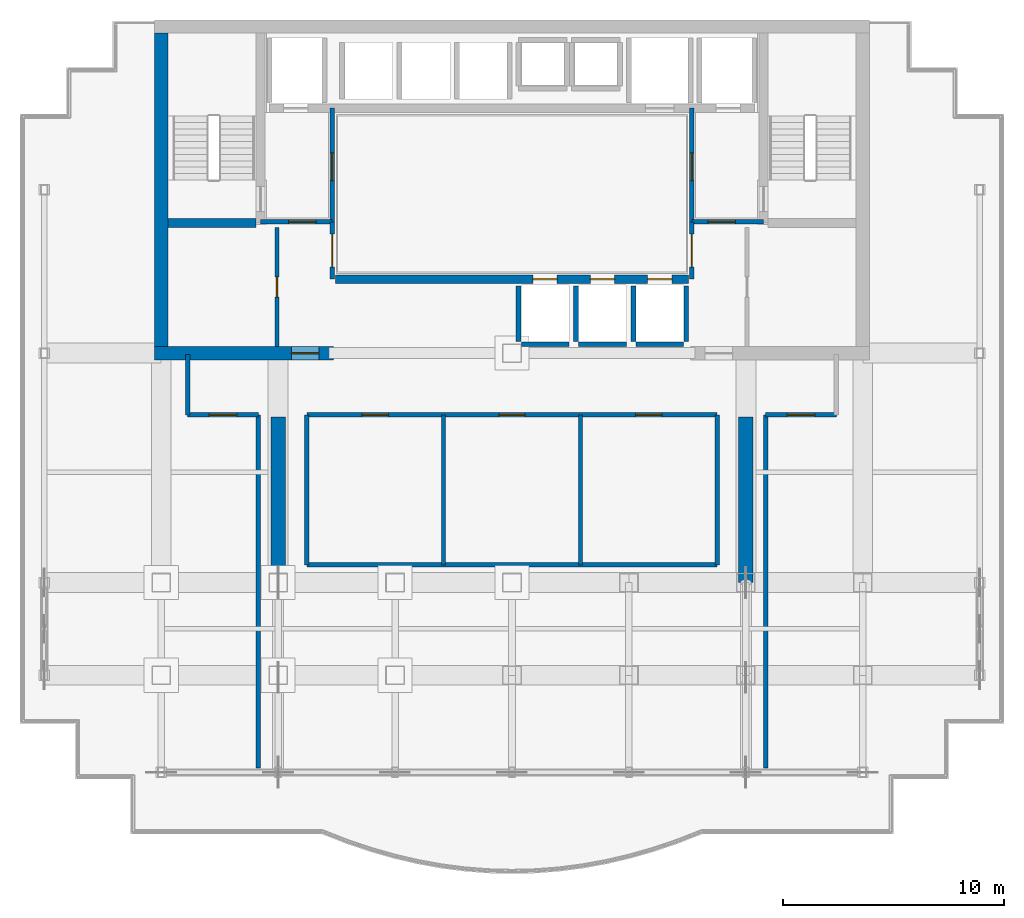
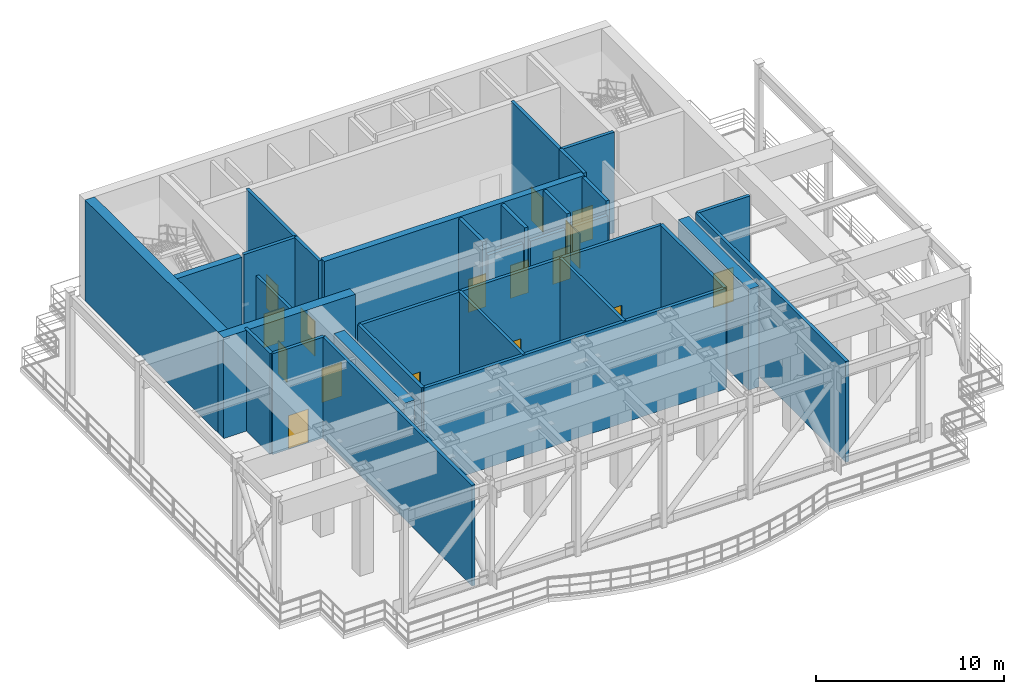
# One storey, part 3 of 7: 31 walls, 16 doors, 16 openings.
"""IFC4 building model written with IfcOpenShell, lengths in metres."""

from ifc_helpers import new_model, si_unit, direction, frame, frame_2d, origin, place, context, subcontext, project, spatial, rectangle, extrude, material, layer, layer_set, type_object, element, fill, save


model = new_model("IFC4")

# Units and contexts
model_context = context("Model", 3, precision=1e-05, world=origin(), true_north=direction((0.0, 1.0)))
body_context = subcontext(model_context, "Body", "Model", "MODEL_VIEW")
ifc_project = project(units=[si_unit("LENGTHUNIT", "METRE"), si_unit("AREAUNIT", "SQUARE_METRE"), si_unit("VOLUMEUNIT", "CUBIC_METRE"), si_unit("PLANEANGLEUNIT", "RADIAN"), si_unit("MASSUNIT", "GRAM", prefix="KILO")], contexts=[model_context])

# Site, building, storey
site_placement = place(None, origin())
site = spatial("IfcSite", under=ifc_project, at=site_placement, CompositionType="ELEMENT")
building_placement = place(site_placement, origin())
building = spatial("IfcBuilding", under=site, at=building_placement, Name="Qianlan Lanfeng Residences", CompositionType="ELEMENT")
storey_placement = place(building_placement, frame((0.0, 0.0, 185.39990234375)))
storey = spatial("IfcBuildingStorey", under=building, at=storey_placement, Name="L51", CompositionType="ELEMENT", Elevation=185.39990234375)

# Wall
ifc_material_1 = material(Name="Concrete C56", Category="concrete")
ifc_layer_1 = layer(ifc_material_1, 0.39990234375)
ifc_layer_set_1 = layer_set([ifc_layer_1], Name="Concrete C56")
wall_type_1 = type_object("IfcWallType", Name="CW-RC-400", PredefinedType="SHEAR", material=ifc_layer_set_1)
wall_1_placement = place(storey_placement, frame((10.89990234375, 31.10009765625, 0.0), z_axis=(0.0, 0.0, 1.0), x_axis=(1.0, 0.0, 0.0)))
element("IfcWall", 1, at=wall_1_placement, inside=storey, type_object=wall_type_1, Name="L51 Core Shear Wall ST1S", PredefinedType="SHEAR", context=body_context, shape_type="SweptSolid", body=[
    extrude(rectangle(XDim=4.0, YDim=0.39990234375, at=frame_2d((2.0, 0.0))), origin(), (0.0, 0.0, 1.0), 6.56005859375),
])

# Wall, openings, doors
wall_2_placement = place(storey_placement, frame((18.5, 28.550048828125, 0.0), z_axis=(0.0, 0.0, 1.0), x_axis=(1.0, 0.0, 0.0)))
wall_2 = element("IfcWall", 2, at=wall_2_placement, inside=storey, type_object=wall_type_1, Name="L51 Core Shear Wall LBS", PredefinedType="SHEAR", context=body_context, shape_type="SweptSolid", body=[
    extrude(rectangle(XDim=16.0, YDim=0.39990234375, at=frame_2d((8.0, 0.0))), origin(), (0.0, 0.0, 1.0), 6.56005859375),
])
opening_1_placement = place(wall_2_placement, frame((8.949951171875, 0.0, 0.0)))
opening_1 = element("IfcOpeningElement", 3, at=opening_1_placement, cuts=wall_2, Name="Opening L51-LD-PL-M1", PredefinedType="OPENING", context=body_context, shape_type="SweptSolid", body=[
    extrude(rectangle(XDim=1.10009765625, YDim=2.14990234375, at=frame_2d((0.550048828125, 1.074951171875))), frame((0.0, 0.2099609375, 0.0), z_axis=(0.0, -1.0, 0.0), x_axis=(1.0, 0.0, 0.0)), (0.0, 0.0, 1.0), 0.419921875),
])
opening_2_placement = place(wall_2_placement, frame((11.550048828125, 0.0, 0.0)))
opening_2 = element("IfcOpeningElement", 4, at=opening_2_placement, cuts=wall_2, Name="Opening L51-LD-PL-M2", PredefinedType="OPENING", context=body_context, shape_type="SweptSolid", body=[
    extrude(rectangle(XDim=1.10009765625, YDim=2.14990234375, at=frame_2d((0.550048828125, 1.074951171875))), frame((0.0, 0.2099609375, 0.0), z_axis=(0.0, -1.0, 0.0), x_axis=(1.0, 0.0, 0.0)), (0.0, 0.0, 1.0), 0.419921875),
])
opening_3_placement = place(wall_2_placement, frame((14.14990234375, 0.0, 0.0)))
opening_3 = element("IfcOpeningElement", 5, at=opening_3_placement, cuts=wall_2, Name="Opening L51-LD-PL-M3", PredefinedType="OPENING", context=body_context, shape_type="SweptSolid", body=[
    extrude(rectangle(XDim=1.10009765625, YDim=2.14990234375, at=frame_2d((0.550048828125, 1.074951171875))), frame((0.0, 0.2099609375, 0.0), z_axis=(0.0, -1.0, 0.0), x_axis=(1.0, 0.0, 0.0)), (0.0, 0.0, 1.0), 0.419921875),
])
ifc_material_2 = material(Name="Brushed Stainless Steel Sliding Lift Door", Category="steel")
door_type_1 = type_object("IfcDoorType", Name="LD-01", OperationType="NOTDEFINED", PredefinedType="DOOR", material=ifc_material_2)
door_1_placement = place(opening_1_placement, origin())
door_1 = element("IfcDoor", 6, at=door_1_placement, inside=storey, type_object=door_type_1, Name="L51 Elevator PL-M1 Sliding Landing Door", OperationType="DOUBLE_DOOR_SLIDING", OverallHeight=2.14990234375, OverallWidth=1.10009765625, PredefinedType="DOOR", context=body_context, shape_type="SweptSolid", body=[
    extrude(rectangle(XDim=1.10009765625, YDim=2.14990234375, at=frame_2d((0.550048828125, 1.074951171875))), frame((0.0, 0.02490234375, 0.0), z_axis=(0.0, -1.0, 0.0), x_axis=(1.0, 0.0, 0.0)), (0.0, 0.0, 1.0), 0.050048828125),
])
fill(opening_1, door_1)
door_2_placement = place(opening_2_placement, origin())
door_2 = element("IfcDoor", 7, at=door_2_placement, inside=storey, type_object=door_type_1, Name="L51 Elevator PL-M2 Sliding Landing Door", OperationType="DOUBLE_DOOR_SLIDING", OverallHeight=2.14990234375, OverallWidth=1.10009765625, PredefinedType="DOOR", context=body_context, shape_type="SweptSolid", body=[
    extrude(rectangle(XDim=1.10009765625, YDim=2.14990234375, at=frame_2d((0.550048828125, 1.074951171875))), frame((0.0, 0.02490234375, 0.0), z_axis=(0.0, -1.0, 0.0), x_axis=(1.0, 0.0, 0.0)), (0.0, 0.0, 1.0), 0.050048828125),
])
fill(opening_2, door_2)
door_3_placement = place(opening_3_placement, origin())
door_3 = element("IfcDoor", 8, at=door_3_placement, inside=storey, type_object=door_type_1, Name="L51 Elevator PL-M3 Sliding Landing Door", OperationType="DOUBLE_DOOR_SLIDING", OverallHeight=2.14990234375, OverallWidth=1.10009765625, PredefinedType="DOOR", context=body_context, shape_type="SweptSolid", body=[
    extrude(rectangle(XDim=1.10009765625, YDim=2.14990234375, at=frame_2d((0.550048828125, 1.074951171875))), frame((0.0, 0.02490234375, 0.0), z_axis=(0.0, -1.0, 0.0), x_axis=(1.0, 0.0, 0.0)), (0.0, 0.0, 1.0), 0.050048828125),
])
fill(opening_3, door_3)

# Wall
ifc_layer_2 = layer(ifc_material_1, 0.60009765625)
ifc_layer_set_2 = layer_set([ifc_layer_2], Name="Concrete C56")
wall_type_2 = type_object("IfcWallType", Name="CW-RC-600", PredefinedType="SHEAR", material=ifc_layer_set_2)
wall_3_placement = place(storey_placement, frame((10.60009765625, 25.5, 0.0), z_axis=(0.0, 0.0, 1.0), x_axis=(0.0, 1.0, 0.0)))
element("IfcWall", 9, at=wall_3_placement, inside=storey, type_object=wall_type_2, Name="L51 Core Shear Wall W", PredefinedType="SHEAR", context=body_context, shape_type="SweptSolid", body=[
    extrude(rectangle(XDim=14.199951171875, YDim=0.60009765625, at=frame_2d((7.10009765625, 0.0))), origin(), (0.0, 0.0, 1.0), 6.56005859375),
])

# Wall, opening, door
wall_4_placement = place(storey_placement, frame((10.300048828125, 25.199951171875, 0.0), z_axis=(0.0, 0.0, 1.0), x_axis=(1.0, 0.0, 0.0)))
wall_4 = element("IfcWall", 10, at=wall_4_placement, inside=storey, type_object=wall_type_2, Name="L51 Core Shear Wall SW", PredefinedType="SHEAR", context=body_context, shape_type="SweptSolid", body=[
    extrude(rectangle(XDim=8.099853515625, YDim=0.60009765625, at=frame_2d((4.0498046875, 0.0))), origin(), (0.0, 0.0, 1.0), 6.56005859375),
])
opening_4_placement = place(wall_4_placement, frame((6.199951171875, 0.0, 0.0)))
opening_4 = element("IfcOpeningElement", 11, at=opening_4_placement, cuts=wall_4, Name="Opening L51-D01", PredefinedType="OPENING", context=body_context, shape_type="SweptSolid", body=[
    extrude(rectangle(XDim=1.25, YDim=2.199951171875, at=frame_2d((0.625, 1.10009765625))), frame((0.0, 0.31005859375, 0.0), z_axis=(0.0, -1.0, 0.0), x_axis=(1.0, 0.0, 0.0)), (0.0, 0.0, 1.0), 0.6201171875),
])
ifc_material_3 = material(Name="Painted Galvanised Steel Fire Door", Category="steel")
door_type_2 = type_object("IfcDoorType", Name="DT-FFL", OperationType="NOTDEFINED", PredefinedType="DOOR", material=ifc_material_3)
door_4_placement = place(opening_4_placement, origin())
door_4 = element("IfcDoor", 12, at=door_4_placement, inside=storey, type_object=door_type_2, Name="L51 West Core Lobby Smoke Door L51-D01 (DT-FFL)", OperationType="SINGLE_SWING_RIGHT", OverallHeight=2.199951171875, OverallWidth=1.25, PredefinedType="DOOR", context=body_context, shape_type="SweptSolid", body=[
    extrude(rectangle(XDim=1.25, YDim=2.199951171875, at=frame_2d((0.625, 1.10009765625))), frame((0.0, 0.02490234375, 0.0), z_axis=(0.0, -1.0, 0.0), x_axis=(1.0, 0.0, 0.0)), (0.0, 0.0, 1.0), 0.050048828125),
])
fill(opening_4, door_4)

# Walls
ifc_material_4 = material(Name="Concrete C60", Category="concrete")
ifc_layer_3 = layer(ifc_material_4, 0.64990234375)
ifc_layer_set_3 = layer_set([ifc_layer_3], Name="Concrete C60")
wall_type_3 = type_object("IfcWallType", Name="OW-RC-650", PredefinedType="SHEAR", material=ifc_layer_set_3)
for number, where, z_axis, x_axis, name in (
    (13, (15.89990234375, 14.800048828125, 0.0), (0.0, 0.0, 1.0), (0.0, 1.0, 0.0), "L51 Outrigger Shear Wall OW-W"),
    (14, (37.10009765625, 14.800048828125, 0.0), (0.0, 0.0, 1.0), (0.0, 1.0, 0.0), "L51 Outrigger Shear Wall OW-E"),
):
    element("IfcWall", number, at=place(storey_placement, frame(where, z_axis=z_axis, x_axis=x_axis)), inside=storey, type_object=wall_type_3, Name=name, PredefinedType="SHEAR", context=body_context, shape_type="SweptSolid", body=[
        extrude(rectangle(XDim=7.5, YDim=0.64990234375, at=frame_2d((3.75, 0.0))), origin(), (0.0, 0.0, 1.0), 6.56005859375),
    ])

# Wall, opening, door
ifc_material_5 = material(Name="Double-Layer Acoustic Gypsum Stud Wall 180 mm")
ifc_layer_4 = layer(ifc_material_5, 0.179931640625)
ifc_layer_set_4 = layer_set([ifc_layer_4], Name="Double-Layer Acoustic Gypsum Stud Wall 180 mm")
wall_type_4 = type_object("IfcWallType", Name="PW-180", PredefinedType="PARTITIONING", material=ifc_layer_set_4)
wall_5_placement = place(storey_placement, frame((15.85009765625, 25.5, 0.0), z_axis=(0.0, 0.0, 1.0), x_axis=(0.0, 1.0, 0.0)))
wall_5 = element("IfcWall", 15, at=wall_5_placement, inside=storey, type_object=wall_type_4, Name="L51 Core West Service Room Wall", PredefinedType="PARTITIONING", context=body_context, shape_type="SweptSolid", body=[
    extrude(rectangle(XDim=5.39990234375, YDim=0.179931640625, at=frame_2d((2.699951171875, 0.0))), origin(), (0.0, 0.0, 1.0), 5.05517578125),
])
opening_5_placement = place(wall_5_placement, frame((2.239990234375, 0.0, 0.0)))
opening_5 = element("IfcOpeningElement", 16, at=opening_5_placement, cuts=wall_5, Name="Opening L51-D09", PredefinedType="OPENING", context=body_context, shape_type="SweptSolid", body=[
    extrude(rectangle(XDim=0.919921875, YDim=2.14990234375, at=frame_2d((0.4599609375, 1.074951171875))), frame((0.0, 0.10009765625, 0.0), z_axis=(0.0, -1.0, 0.0), x_axis=(1.0, 0.0, 0.0)), (0.0, 0.0, 1.0), 0.199951171875),
])
ifc_material_6 = material(Name="Glazed Timber Kitchen/Study Door", Category="wood")
door_type_3 = type_object("IfcDoorType", Name="DT-INT", OperationType="NOTDEFINED", PredefinedType="DOOR", material=ifc_material_6)
door_5_placement = place(opening_5_placement, origin())
door_5 = element("IfcDoor", 17, at=door_5_placement, inside=storey, type_object=door_type_3, Name="L51 Core Storage Door L51-D09 (DT-INT)", OperationType="SINGLE_SWING_RIGHT", OverallHeight=2.14990234375, OverallWidth=0.919921875, PredefinedType="DOOR", context=body_context, shape_type="SweptSolid", body=[
    extrude(rectangle(XDim=0.919921875, YDim=2.14990234375, at=frame_2d((0.4599609375, 1.074951171875))), frame((0.0, 0.02490234375, 0.0), z_axis=(0.0, -1.0, 0.0), x_axis=(1.0, 0.0, 0.0)), (0.0, 0.0, 1.0), 0.050048828125),
])
fill(opening_5, door_5)

# Walls
for number, where, z_axis, x_axis, name in (
    (18, (23.39990234375, 15.60009765625, 0.0), (0.0, 0.0, 1.0), (0.0, 1.0, 0.0), "L51 Plant Divider 1"),
    (19, (29.60009765625, 15.60009765625, 0.0), (0.0, 0.0, 1.0), (0.0, 1.0, 0.0), "L51 Plant Divider 2"),
):
    element("IfcWall", number, at=place(storey_placement, frame(where, z_axis=z_axis, x_axis=x_axis)), inside=storey, type_object=wall_type_4, Name=name, PredefinedType="PARTITIONING", context=body_context, shape_type="SweptSolid", body=[
        extrude(rectangle(XDim=6.7998046875, YDim=0.179931640625, at=frame_2d((3.39990234375, 0.0))), origin(), (0.0, 0.0, 1.0), 6.56005859375),
    ])

# Wall, opening, door
ifc_material_7 = material(Name="Autoclaved Aerated Concrete Blockwork 200 mm", Category="masonry")
ifc_layer_5 = layer(ifc_material_7, 0.199951171875)
ifc_layer_set_5 = layer_set([ifc_layer_5], Name="Autoclaved Aerated Concrete Blockwork 200 mm")
wall_type_5 = type_object("IfcWallType", Name="PW-200", PredefinedType="PARTITIONING", material=ifc_layer_set_5)
wall_6_placement = place(storey_placement, frame((15.10009765625, 31.14990234375, 0.0), z_axis=(0.0, 0.0, 1.0), x_axis=(1.0, 0.0, 0.0)))
wall_6 = element("IfcWall", 20, at=wall_6_placement, inside=storey, type_object=wall_type_5, Name="L51 Firefighting Lobby 1 South Wall", PredefinedType="PARTITIONING", context=body_context, shape_type="SweptSolid", body=[
    extrude(rectangle(XDim=3.25, YDim=0.199951171875, at=frame_2d((1.625, 0.0))), origin(), (0.0, 0.0, 1.0), 6.56005859375),
])
opening_6_placement = place(wall_6_placement, frame((1.27490234375, 0.0, 0.0)))
opening_6 = element("IfcOpeningElement", 21, at=opening_6_placement, cuts=wall_6, Name="Opening L51-D03", PredefinedType="OPENING", context=body_context, shape_type="SweptSolid", body=[
    extrude(rectangle(XDim=1.25, YDim=2.199951171875, at=frame_2d((0.625, 1.10009765625))), frame((0.0, 0.10986328125, 0.0), z_axis=(0.0, -1.0, 0.0), x_axis=(1.0, 0.0, 0.0)), (0.0, 0.0, 1.0), 0.219970703125),
])
door_6_placement = place(opening_6_placement, origin())
door_6 = element("IfcDoor", 22, at=door_6_placement, inside=storey, type_object=door_type_2, Name="L51 Firefighting Lobby 1 Entry Door L51-D03 (DT-FFL)", OperationType="SINGLE_SWING_LEFT", OverallHeight=2.199951171875, OverallWidth=1.25, PredefinedType="DOOR", context=body_context, shape_type="SweptSolid", body=[
    extrude(rectangle(XDim=1.25, YDim=2.199951171875, at=frame_2d((0.625, 1.10009765625))), frame((0.0, 0.02490234375, 0.0), z_axis=(0.0, -1.0, 0.0), x_axis=(1.0, 0.0, 0.0)), (0.0, 0.0, 1.0), 0.050048828125),
])
fill(opening_6, door_6)

wall_7_placement = place(storey_placement, frame((18.35009765625, 31.14990234375, 0.0), z_axis=(0.0, 0.0, 1.0), x_axis=(0.0, 1.0, 0.0)))
wall_7 = element("IfcWall", 23, at=wall_7_placement, inside=storey, type_object=wall_type_5, Name="L51 Firefighting Lobby 1 East Wall", PredefinedType="PARTITIONING", context=body_context, shape_type="SweptSolid", body=[
    extrude(rectangle(XDim=5.150146484375, YDim=0.199951171875, at=frame_2d((2.5751953125, 0.0))), origin(), (0.0, 0.0, 1.0), 6.56005859375),
])
opening_7_placement = place(wall_7_placement, frame((1.875, 0.0, 0.0)))
opening_7 = element("IfcOpeningElement", 24, at=opening_7_placement, cuts=wall_7, Name="Opening L51-D04", PredefinedType="OPENING", context=body_context, shape_type="SweptSolid", body=[
    extrude(rectangle(XDim=1.25, YDim=2.199951171875, at=frame_2d((0.625, 1.10009765625))), frame((0.0, 0.10986328125, 0.0), z_axis=(0.0, -1.0, 0.0), x_axis=(1.0, 0.0, 0.0)), (0.0, 0.0, 1.0), 0.219970703125),
])
door_7_placement = place(opening_7_placement, origin())
door_7 = element("IfcDoor", 25, at=door_7_placement, inside=storey, type_object=door_type_2, Name="L51 Firefighting Lobby 1 Lift Lobby Door L51-D04 (DT-FFL)", OperationType="SINGLE_SWING_LEFT", OverallHeight=2.199951171875, OverallWidth=1.25, PredefinedType="DOOR", context=body_context, shape_type="SweptSolid", body=[
    extrude(rectangle(XDim=1.25, YDim=2.199951171875, at=frame_2d((0.625, 1.10009765625))), frame((0.0, 0.02490234375, 0.0), z_axis=(0.0, -1.0, 0.0), x_axis=(1.0, 0.0, 0.0)), (0.0, 0.0, 1.0), 0.050048828125),
])
fill(opening_7, door_7)

wall_8_placement = place(storey_placement, frame((34.64990234375, 31.14990234375, 0.0), z_axis=(0.0, 0.0, 1.0), x_axis=(1.0, 0.0, 0.0)))
wall_8 = element("IfcWall", 26, at=wall_8_placement, inside=storey, type_object=wall_type_5, Name="L51 Firefighting Lobby 2 South Wall", PredefinedType="PARTITIONING", context=body_context, shape_type="SweptSolid", body=[
    extrude(rectangle(XDim=3.25, YDim=0.199951171875, at=frame_2d((1.625, 0.0))), origin(), (0.0, 0.0, 1.0), 6.56005859375),
])
opening_8_placement = place(wall_8_placement, frame((0.72509765625, 0.0, 0.0)))
opening_8 = element("IfcOpeningElement", 27, at=opening_8_placement, cuts=wall_8, Name="Opening L51-D05", PredefinedType="OPENING", context=body_context, shape_type="SweptSolid", body=[
    extrude(rectangle(XDim=1.25, YDim=2.199951171875, at=frame_2d((0.625, 1.10009765625))), frame((0.0, 0.10986328125, 0.0), z_axis=(0.0, -1.0, 0.0), x_axis=(1.0, 0.0, 0.0)), (0.0, 0.0, 1.0), 0.219970703125),
])
door_8_placement = place(opening_8_placement, origin())
door_8 = element("IfcDoor", 28, at=door_8_placement, inside=storey, type_object=door_type_2, Name="L51 Firefighting Lobby 2 Entry Door L51-D05 (DT-FFL)", OperationType="SINGLE_SWING_RIGHT", OverallHeight=2.199951171875, OverallWidth=1.25, PredefinedType="DOOR", context=body_context, shape_type="SweptSolid", body=[
    extrude(rectangle(XDim=1.25, YDim=2.199951171875, at=frame_2d((0.625, 1.10009765625))), frame((0.0, 0.02490234375, 0.0), z_axis=(0.0, -1.0, 0.0), x_axis=(1.0, 0.0, 0.0)), (0.0, 0.0, 1.0), 0.050048828125),
])
fill(opening_8, door_8)

wall_9_placement = place(storey_placement, frame((34.64990234375, 31.14990234375, 0.0), z_axis=(0.0, 0.0, 1.0), x_axis=(0.0, 1.0, 0.0)))
wall_9 = element("IfcWall", 29, at=wall_9_placement, inside=storey, type_object=wall_type_5, Name="L51 Firefighting Lobby 2 West Wall", PredefinedType="PARTITIONING", context=body_context, shape_type="SweptSolid", body=[
    extrude(rectangle(XDim=5.150146484375, YDim=0.199951171875, at=frame_2d((2.5751953125, 0.0))), origin(), (0.0, 0.0, 1.0), 6.56005859375),
])
opening_9_placement = place(wall_9_placement, frame((1.875, 0.0, 0.0)))
opening_9 = element("IfcOpeningElement", 30, at=opening_9_placement, cuts=wall_9, Name="Opening L51-D06", PredefinedType="OPENING", context=body_context, shape_type="SweptSolid", body=[
    extrude(rectangle(XDim=1.25, YDim=2.199951171875, at=frame_2d((0.625, 1.10009765625))), frame((0.0, 0.10986328125, 0.0), z_axis=(0.0, -1.0, 0.0), x_axis=(1.0, 0.0, 0.0)), (0.0, 0.0, 1.0), 0.219970703125),
])
door_9_placement = place(opening_9_placement, origin())
door_9 = element("IfcDoor", 31, at=door_9_placement, inside=storey, type_object=door_type_2, Name="L51 Firefighting Lobby 2 Lift Lobby Door L51-D06 (DT-FFL)", OperationType="SINGLE_SWING_LEFT", OverallHeight=2.199951171875, OverallWidth=1.25, PredefinedType="DOOR", context=body_context, shape_type="SweptSolid", body=[
    extrude(rectangle(XDim=1.25, YDim=2.199951171875, at=frame_2d((0.625, 1.10009765625))), frame((0.0, 0.02490234375, 0.0), z_axis=(0.0, -1.0, 0.0), x_axis=(1.0, 0.0, 0.0)), (0.0, 0.0, 1.0), 0.050048828125),
])
fill(opening_9, door_9)

wall_10_placement = place(storey_placement, frame((18.35009765625, 28.550048828125, 0.0), z_axis=(0.0, 0.0, 1.0), x_axis=(0.0, 1.0, 0.0)))
wall_10 = element("IfcWall", 32, at=wall_10_placement, inside=storey, type_object=wall_type_5, Name="L51 Lift Lobby West Connector Wall", PredefinedType="PARTITIONING", context=body_context, shape_type="SweptSolid", body=[
    extrude(rectangle(XDim=2.599853515625, YDim=0.199951171875, at=frame_2d((1.2998046875, 0.0))), origin(), (0.0, 0.0, 1.0), 6.56005859375),
])
opening_10_placement = place(wall_10_placement, frame((0.550048828125, 0.0, 0.0)))
opening_10 = element("IfcOpeningElement", 33, at=opening_10_placement, cuts=wall_10, Name="Opening L51-D11", PredefinedType="OPENING", context=body_context, shape_type="SweptSolid", body=[
    extrude(rectangle(XDim=1.5, YDim=2.25, at=frame_2d((0.75, 1.125))), frame((0.0, 0.10986328125, 0.0), z_axis=(0.0, -1.0, 0.0), x_axis=(1.0, 0.0, 0.0)), (0.0, 0.0, 1.0), 0.219970703125),
])
ifc_material_8 = material(Name="Timber Veneer Acoustic Fire Door", Category="wood")
door_type_4 = type_object("IfcDoorType", Name="DT-COR1", OperationType="NOTDEFINED", PredefinedType="DOOR", material=ifc_material_8)
door_10_placement = place(opening_10_placement, origin())
door_10 = element("IfcDoor", 34, at=door_10_placement, inside=storey, type_object=door_type_4, Name="L51 Lift Lobby West Portal Door L51-D11 (DT-COR1)", OperationType="DOUBLE_DOOR_SINGLE_SWING", OverallHeight=2.25, OverallWidth=1.5, PredefinedType="DOOR", context=body_context, shape_type="SweptSolid", body=[
    extrude(rectangle(XDim=1.5, YDim=2.25, at=frame_2d((0.75, 1.125))), frame((0.0, 0.02490234375, 0.0), z_axis=(0.0, -1.0, 0.0), x_axis=(1.0, 0.0, 0.0)), (0.0, 0.0, 1.0), 0.050048828125),
])
fill(opening_10, door_10)

wall_11_placement = place(storey_placement, frame((34.64990234375, 28.550048828125, 0.0), z_axis=(0.0, 0.0, 1.0), x_axis=(0.0, 1.0, 0.0)))
wall_11 = element("IfcWall", 35, at=wall_11_placement, inside=storey, type_object=wall_type_5, Name="L51 Lift Lobby East Connector Wall", PredefinedType="PARTITIONING", context=body_context, shape_type="SweptSolid", body=[
    extrude(rectangle(XDim=2.599853515625, YDim=0.199951171875, at=frame_2d((1.2998046875, 0.0))), origin(), (0.0, 0.0, 1.0), 6.56005859375),
])
opening_11_placement = place(wall_11_placement, frame((0.550048828125, 0.0, 0.0)))
opening_11 = element("IfcOpeningElement", 36, at=opening_11_placement, cuts=wall_11, Name="Opening L51-D12", PredefinedType="OPENING", context=body_context, shape_type="SweptSolid", body=[
    extrude(rectangle(XDim=1.5, YDim=2.25, at=frame_2d((0.75, 1.125))), frame((0.0, 0.10986328125, 0.0), z_axis=(0.0, -1.0, 0.0), x_axis=(1.0, 0.0, 0.0)), (0.0, 0.0, 1.0), 0.219970703125),
])
door_11_placement = place(opening_11_placement, frame((1.5, 0.0, 0.0), z_axis=(0.0, 0.0, 1.0), x_axis=(-1.0, 0.0, 0.0)))
door_11 = element("IfcDoor", 37, at=door_11_placement, inside=storey, type_object=door_type_4, Name="L51 Lift Lobby East Portal Door L51-D12 (DT-COR1)", OperationType="DOUBLE_DOOR_SINGLE_SWING", OverallHeight=2.25, OverallWidth=1.5, PredefinedType="DOOR", context=body_context, shape_type="SweptSolid", body=[
    extrude(rectangle(XDim=1.5, YDim=2.25, at=frame_2d((0.75, 1.125))), frame((0.0, 0.02490234375, 0.0), z_axis=(0.0, -1.0, 0.0), x_axis=(1.0, 0.0, 0.0)), (0.0, 0.0, 1.0), 0.050048828125),
])
fill(opening_11, door_11)

# Wall, openings, doors
wall_12_placement = place(storey_placement, frame((17.199951171875, 22.39990234375, 0.0), z_axis=(0.0, 0.0, 1.0), x_axis=(1.0, 0.0, 0.0)))
wall_12 = element("IfcWall", 38, at=wall_12_placement, inside=storey, type_object=wall_type_5, Name="L51 Plant Block North Wall", PredefinedType="PARTITIONING", context=body_context, shape_type="SweptSolid", body=[
    extrude(rectangle(XDim=18.60009765625, YDim=0.199951171875, at=frame_2d((9.300048828125, 0.0))), origin(), (0.0, 0.0, 1.0), 6.56005859375),
])
opening_12_placement = place(wall_12_placement, frame((2.5, 0.0, 0.0)))
opening_12 = element("IfcOpeningElement", 39, at=opening_12_placement, cuts=wall_12, Name="Opening L51-D13", PredefinedType="OPENING", context=body_context, shape_type="SweptSolid", body=[
    extrude(rectangle(XDim=1.199951171875, YDim=2.199951171875, at=frame_2d((0.60009765625, 1.10009765625))), frame((0.0, 0.10986328125, 0.0), z_axis=(0.0, -1.0, 0.0), x_axis=(1.0, 0.0, 0.0)), (0.0, 0.0, 1.0), 0.219970703125),
])
opening_13_placement = place(wall_12_placement, frame((8.699951171875, 0.0, 0.0)))
opening_13 = element("IfcOpeningElement", 40, at=opening_13_placement, cuts=wall_12, Name="Opening L51-D14", PredefinedType="OPENING", context=body_context, shape_type="SweptSolid", body=[
    extrude(rectangle(XDim=1.199951171875, YDim=2.199951171875, at=frame_2d((0.60009765625, 1.10009765625))), frame((0.0, 0.10986328125, 0.0), z_axis=(0.0, -1.0, 0.0), x_axis=(1.0, 0.0, 0.0)), (0.0, 0.0, 1.0), 0.219970703125),
])
opening_14_placement = place(wall_12_placement, frame((14.89990234375, 0.0, 0.0)))
opening_14 = element("IfcOpeningElement", 41, at=opening_14_placement, cuts=wall_12, Name="Opening L51-D15", PredefinedType="OPENING", context=body_context, shape_type="SweptSolid", body=[
    extrude(rectangle(XDim=1.199951171875, YDim=2.199951171875, at=frame_2d((0.60009765625, 1.10009765625))), frame((0.0, 0.10986328125, 0.0), z_axis=(0.0, -1.0, 0.0), x_axis=(1.0, 0.0, 0.0)), (0.0, 0.0, 1.0), 0.219970703125),
])
ifc_material_9 = material(Name="Painted Galvanised Steel Plant Door", Category="steel")
door_type_5 = type_object("IfcDoorType", Name="DT-PLT", OperationType="NOTDEFINED", PredefinedType="DOOR", material=ifc_material_9)
door_12_placement = place(opening_12_placement, origin())
door_12 = element("IfcDoor", 42, at=door_12_placement, inside=storey, type_object=door_type_5, Name="L51 Mechanical Fan Room Door L51-D13 (DT-PLT)", OperationType="SINGLE_SWING_RIGHT", OverallHeight=2.199951171875, OverallWidth=1.199951171875, PredefinedType="DOOR", context=body_context, shape_type="SweptSolid", body=[
    extrude(rectangle(XDim=1.199951171875, YDim=2.199951171875, at=frame_2d((0.60009765625, 1.10009765625))), frame((0.0, 0.02490234375, 0.0), z_axis=(0.0, -1.0, 0.0), x_axis=(1.0, 0.0, 0.0)), (0.0, 0.0, 1.0), 0.050048828125),
])
fill(opening_12, door_12)
door_13_placement = place(opening_13_placement, origin())
door_13 = element("IfcDoor", 43, at=door_13_placement, inside=storey, type_object=door_type_5, Name="L51 Electrical Switchroom Door L51-D14 (DT-PLT)", OperationType="SINGLE_SWING_LEFT", OverallHeight=2.199951171875, OverallWidth=1.199951171875, PredefinedType="DOOR", context=body_context, shape_type="SweptSolid", body=[
    extrude(rectangle(XDim=1.199951171875, YDim=2.199951171875, at=frame_2d((0.60009765625, 1.10009765625))), frame((0.0, 0.02490234375, 0.0), z_axis=(0.0, -1.0, 0.0), x_axis=(1.0, 0.0, 0.0)), (0.0, 0.0, 1.0), 0.050048828125),
])
fill(opening_13, door_13)
door_14_placement = place(opening_14_placement, origin())
door_14 = element("IfcDoor", 44, at=door_14_placement, inside=storey, type_object=door_type_5, Name="L51 Domestic Booster Pump Door L51-D15 (DT-PLT)", OperationType="SINGLE_SWING_RIGHT", OverallHeight=2.199951171875, OverallWidth=1.199951171875, PredefinedType="DOOR", context=body_context, shape_type="SweptSolid", body=[
    extrude(rectangle(XDim=1.199951171875, YDim=2.199951171875, at=frame_2d((0.60009765625, 1.10009765625))), frame((0.0, 0.02490234375, 0.0), z_axis=(0.0, -1.0, 0.0), x_axis=(1.0, 0.0, 0.0)), (0.0, 0.0, 1.0), 0.050048828125),
])
fill(opening_14, door_14)

# Walls
wall_13_placement = place(storey_placement, frame((17.199951171875, 15.60009765625, 0.0), z_axis=(0.0, 0.0, 1.0), x_axis=(1.0, 0.0, 0.0)))
element("IfcWall", 45, at=wall_13_placement, inside=storey, type_object=wall_type_5, Name="L51 Plant Block South Wall", PredefinedType="PARTITIONING", context=body_context, shape_type="SweptSolid", body=[
    extrude(rectangle(XDim=18.60009765625, YDim=0.199951171875, at=frame_2d((9.300048828125, 0.0))), origin(), (0.0, 0.0, 1.0), 6.56005859375),
])
for number, where, z_axis, x_axis, name in (
    (46, (17.199951171875, 15.60009765625, 0.0), (0.0, 0.0, 1.0), (0.0, 1.0, 0.0), "L51 Plant Block West Wall"),
    (47, (35.800048828125, 15.60009765625, 0.0), (0.0, 0.0, 1.0), (0.0, 1.0, 0.0), "L51 Plant Block East Wall"),
):
    element("IfcWall", number, at=place(storey_placement, frame(where, z_axis=z_axis, x_axis=x_axis)), inside=storey, type_object=wall_type_5, Name=name, PredefinedType="PARTITIONING", context=body_context, shape_type="SweptSolid", body=[
        extrude(rectangle(XDim=6.7998046875, YDim=0.199951171875, at=frame_2d((3.39990234375, 0.0))), origin(), (0.0, 0.0, 1.0), 6.56005859375),
    ])

# Wall, opening, door
wall_14_placement = place(storey_placement, frame((11.800048828125, 22.39990234375, 0.0), z_axis=(0.0, 0.0, 1.0), x_axis=(1.0, 0.0, 0.0)))
wall_14 = element("IfcWall", 48, at=wall_14_placement, inside=storey, type_object=wall_type_5, Name="L51 West Refuge Exit Wall", PredefinedType="PARTITIONING", context=body_context, shape_type="SweptSolid", body=[
    extrude(rectangle(XDim=3.199951171875, YDim=0.199951171875, at=frame_2d((1.60009765625, 0.0))), origin(), (0.0, 0.0, 1.0), 6.56005859375),
])
opening_15_placement = place(wall_14_placement, frame((0.97509765625, 0.0, 0.0)))
opening_15 = element("IfcOpeningElement", 49, at=opening_15_placement, cuts=wall_14, Name="Opening L51-D16", PredefinedType="OPENING", context=body_context, shape_type="SweptSolid", body=[
    extrude(rectangle(XDim=1.25, YDim=2.199951171875, at=frame_2d((0.625, 1.10009765625))), frame((0.0, 0.10986328125, 0.0), z_axis=(0.0, -1.0, 0.0), x_axis=(1.0, 0.0, 0.0)), (0.0, 0.0, 1.0), 0.219970703125),
])
door_15_placement = place(opening_15_placement, frame((1.25, 0.0, 0.0), z_axis=(0.0, 0.0, 1.0), x_axis=(-1.0, 0.0, 0.0)))
door_15 = element("IfcDoor", 50, at=door_15_placement, inside=storey, type_object=door_type_2, Name="L51 L51 West Refuge Area Smoke Door L51-D16 (DT-FFL)", OperationType="SINGLE_SWING_LEFT", OverallHeight=2.199951171875, OverallWidth=1.25, PredefinedType="DOOR", context=body_context, shape_type="SweptSolid", body=[
    extrude(rectangle(XDim=1.25, YDim=2.199951171875, at=frame_2d((0.625, 1.10009765625))), frame((0.0, 0.02490234375, 0.0), z_axis=(0.0, -1.0, 0.0), x_axis=(1.0, 0.0, 0.0)), (0.0, 0.0, 1.0), 0.050048828125),
])
fill(opening_15, door_15)

wall_15_placement = place(storey_placement, frame((38.0, 22.39990234375, 0.0), z_axis=(0.0, 0.0, 1.0), x_axis=(1.0, 0.0, 0.0)))
wall_15 = element("IfcWall", 51, at=wall_15_placement, inside=storey, type_object=wall_type_5, Name="L51 East Refuge Exit Wall", PredefinedType="PARTITIONING", context=body_context, shape_type="SweptSolid", body=[
    extrude(rectangle(XDim=3.199951171875, YDim=0.199951171875, at=frame_2d((1.60009765625, 0.0))), origin(), (0.0, 0.0, 1.0), 6.56005859375),
])
opening_16_placement = place(wall_15_placement, frame((0.97509765625, 0.0, 0.0)))
opening_16 = element("IfcOpeningElement", 52, at=opening_16_placement, cuts=wall_15, Name="Opening L51-D17", PredefinedType="OPENING", context=body_context, shape_type="SweptSolid", body=[
    extrude(rectangle(XDim=1.25, YDim=2.199951171875, at=frame_2d((0.625, 1.10009765625))), frame((0.0, 0.10986328125, 0.0), z_axis=(0.0, -1.0, 0.0), x_axis=(1.0, 0.0, 0.0)), (0.0, 0.0, 1.0), 0.219970703125),
])
door_16_placement = place(opening_16_placement, frame((1.25, 0.0, 0.0), z_axis=(0.0, 0.0, 1.0), x_axis=(-1.0, 0.0, 0.0)))
door_16 = element("IfcDoor", 53, at=door_16_placement, inside=storey, type_object=door_type_2, Name="L51 L51 East Refuge Area Smoke Door L51-D17 (DT-FFL)", OperationType="SINGLE_SWING_RIGHT", OverallHeight=2.199951171875, OverallWidth=1.25, PredefinedType="DOOR", context=body_context, shape_type="SweptSolid", body=[
    extrude(rectangle(XDim=1.25, YDim=2.199951171875, at=frame_2d((0.625, 1.10009765625))), frame((0.0, 0.02490234375, 0.0), z_axis=(0.0, -1.0, 0.0), x_axis=(1.0, 0.0, 0.0)), (0.0, 0.0, 1.0), 0.050048828125),
])
fill(opening_16, door_16)

# Walls
wall_16_placement = place(storey_placement, frame((11.800048828125, 22.39990234375, 0.0), z_axis=(0.0, 0.0, 1.0), x_axis=(0.0, 1.0, 0.0)))
element("IfcWall", 54, at=wall_16_placement, inside=storey, type_object=wall_type_5, Name="L51 West Refuge End Wall", PredefinedType="PARTITIONING", context=body_context, shape_type="SweptSolid", body=[
    extrude(rectangle(XDim=2.75, YDim=0.199951171875, at=frame_2d((1.375, 0.0))), origin(), (0.0, 0.0, 1.0), 6.56005859375),
])
for number, where, z_axis, x_axis, name in (
    (55, (15.0, 6.39990234375, 0.0), (0.0, 0.0, 1.0), (0.0, 1.0, 0.0), "L51 West Outrigger Zone Separation Wall"),
    (56, (38.0, 6.39990234375, 0.0), (0.0, 0.0, 1.0), (0.0, 1.0, 0.0), "L51 East Outrigger Zone Separation Wall"),
):
    element("IfcWall", number, at=place(storey_placement, frame(where, z_axis=z_axis, x_axis=x_axis)), inside=storey, type_object=wall_type_5, Name=name, PredefinedType="PARTITIONING", context=body_context, shape_type="SweptSolid", body=[
        extrude(rectangle(XDim=16.0, YDim=0.199951171875, at=frame_2d((8.0, 0.0))), origin(), (0.0, 0.0, 1.0), 6.56005859375),
    ])
ifc_material_10 = material(Name="Concrete C49", Category="concrete")
ifc_layer_6 = layer(ifc_material_10, 0.219970703125)
ifc_layer_set_6 = layer_set([ifc_layer_6], Name="Concrete C49")
wall_type_6 = type_object("IfcWallType", Name="SHW-220", PredefinedType="SOLIDWALL", material=ifc_layer_set_6)
wall_17_placement = place(storey_placement, frame((26.800048828125, 25.719970703125, 0.0), z_axis=(0.0, 0.0, 1.0), x_axis=(0.0, 1.0, 0.0)))
element("IfcWall", 57, at=wall_17_placement, inside=storey, type_object=wall_type_6, Name="L51 Lift PL-M1 Shaft Wall W", PredefinedType="SOLIDWALL", context=body_context, shape_type="SweptSolid", body=[
    extrude(rectangle(XDim=2.530029296875, YDim=0.219970703125, at=frame_2d((1.26513671875, 0.0))), origin(), (0.0, 0.0, 1.0), 6.56005859375),
])
wall_18_placement = place(storey_placement, frame((26.919921875, 25.60009765625, 0.0), z_axis=(0.0, 0.0, 1.0), x_axis=(1.0, 0.0, 0.0)))
element("IfcWall", 58, at=wall_18_placement, inside=storey, type_object=wall_type_6, Name="L51 Lift PL-M1 Shaft Back Wall S", PredefinedType="SOLIDWALL", context=body_context, shape_type="SweptSolid", body=[
    extrude(rectangle(XDim=2.16015625, YDim=0.219970703125, at=frame_2d((1.080078125, 0.0))), origin(), (0.0, 0.0, 1.0), 5.755126953125),
])
wall_19_placement = place(storey_placement, frame((29.39990234375, 25.719970703125, 0.0), z_axis=(0.0, 0.0, 1.0), x_axis=(0.0, 1.0, 0.0)))
element("IfcWall", 59, at=wall_19_placement, inside=storey, type_object=wall_type_6, Name="L51 Lift PL-M2 Shaft Wall W", PredefinedType="SOLIDWALL", context=body_context, shape_type="SweptSolid", body=[
    extrude(rectangle(XDim=2.530029296875, YDim=0.219970703125, at=frame_2d((1.26513671875, 0.0))), origin(), (0.0, 0.0, 1.0), 6.56005859375),
])
wall_20_placement = place(storey_placement, frame((29.52001953125, 25.60009765625, 0.0), z_axis=(0.0, 0.0, 1.0), x_axis=(1.0, 0.0, 0.0)))
element("IfcWall", 60, at=wall_20_placement, inside=storey, type_object=wall_type_6, Name="L51 Lift PL-M2 Shaft Back Wall S", PredefinedType="SOLIDWALL", context=body_context, shape_type="SweptSolid", body=[
    extrude(rectangle(XDim=2.159912109375, YDim=0.219970703125, at=frame_2d((1.080078125, 0.0))), origin(), (0.0, 0.0, 1.0), 5.755126953125),
])
for number, where, z_axis, x_axis, name in (
    (61, (32.0, 25.719970703125, 0.0), (0.0, 0.0, 1.0), (0.0, 1.0, 0.0), "L51 Lift PL-M3 Shaft Wall W"),
    (62, (34.39990234375, 25.719970703125, 0.0), (0.0, 0.0, 1.0), (0.0, 1.0, 0.0), "L51 Lift PL-M3 Shaft Wall E"),
):
    element("IfcWall", number, at=place(storey_placement, frame(where, z_axis=z_axis, x_axis=x_axis)), inside=storey, type_object=wall_type_6, Name=name, PredefinedType="SOLIDWALL", context=body_context, shape_type="SweptSolid", body=[
        extrude(rectangle(XDim=2.530029296875, YDim=0.219970703125, at=frame_2d((1.26513671875, 0.0))), origin(), (0.0, 0.0, 1.0), 6.56005859375),
    ])
wall_21_placement = place(storey_placement, frame((32.1201171875, 25.60009765625, 0.0), z_axis=(0.0, 0.0, 1.0), x_axis=(1.0, 0.0, 0.0)))
element("IfcWall", 63, at=wall_21_placement, inside=storey, type_object=wall_type_6, Name="L51 Lift PL-M3 Shaft Back Wall S", PredefinedType="SOLIDWALL", context=body_context, shape_type="SweptSolid", body=[
    extrude(rectangle(XDim=2.159912109375, YDim=0.219970703125, at=frame_2d((1.080078125, 0.0))), origin(), (0.0, 0.0, 1.0), 5.755126953125),
])

save(model, "model.ifc")
